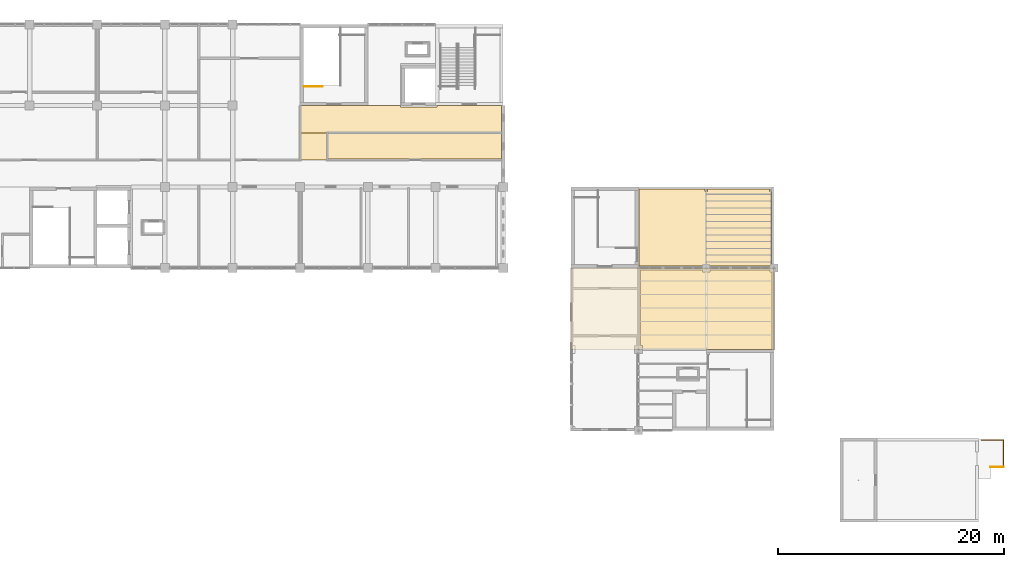
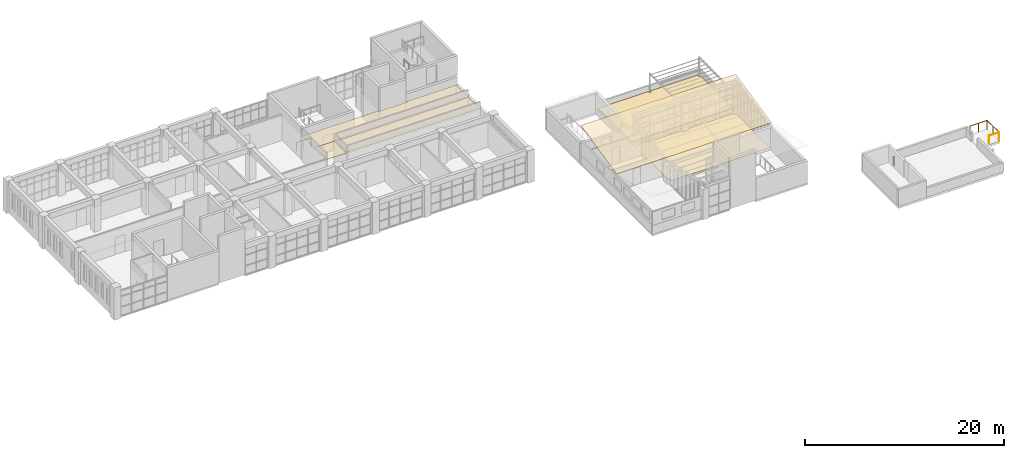
# One storey, part 50 of 51: 6 coverings, 3 railings.
"""IFC4 building model written with IfcOpenShell, lengths in metres."""

from ifc_helpers import new_model, si_unit, direction, frame, origin, origin_2d, place, context, subcontext, project, spatial, polyline, circle, outline, extrude, material, layer, layer_set, type_object, element, save


model = new_model("IFC4")

# Units and contexts
model_context = context("Model", 3, precision=1e-05, world=origin(), true_north=direction((0.0, 1.0)))
body_context = subcontext(model_context, "Body", "Model", "MODEL_VIEW")
ifc_project = project(units=[si_unit("LENGTHUNIT", "METRE"), si_unit("AREAUNIT", "SQUARE_METRE"), si_unit("VOLUMEUNIT", "CUBIC_METRE"), si_unit("PLANEANGLEUNIT", "RADIAN"), si_unit("MASSUNIT", "GRAM", prefix="KILO")], contexts=[model_context])

# Site, building, storey
site_placement = place(None, origin())
site = spatial("IfcSite", under=ifc_project, at=site_placement, CompositionType="ELEMENT")
building_placement = place(site_placement, origin())
building = spatial("IfcBuilding", under=site, at=building_placement, Name="Laocheng Heights Fire and Rescue Headquarters", CompositionType="ELEMENT")
storey_placement = place(building_placement, frame((0.0, 0.0, 21.0)))
storey = spatial("IfcBuildingStorey", under=building, at=storey_placement, Name="L05", CompositionType="ELEMENT", Elevation=21.0)

# Coverings
ifc_material_1 = material(Name="Green roof substrate planted with sedum, on drainage layer")
ifc_layer_1 = layer(ifc_material_1, 0.39990234375)
ifc_layer_set_1 = layer_set([ifc_layer_1], Name="Green roof substrate planted with sedum, on drainage layer")
covering_type_1 = type_object("IfcCoveringType", Name="GREEN ROOF BUILD-UP 400", PredefinedType="ROOFING", material=ifc_layer_set_1)
covering_1_placement = place(storey_placement, origin())
element("IfcCovering", 1, at=covering_1_placement, inside=storey, type_object=covering_type_1, Name="Green roof Crew Garden", PredefinedType="ROOFING", context=body_context, shape_type="SweptSolid", body=[
    extrude(outline(polyline([(107.820068359375, 50.580078125), (107.820068359375, 57.199951171875), (107.60009765625, 57.199951171875), (107.60009765625, 57.419921875), (102.1201171875, 57.419921875), (102.1201171875, 57.199951171875), (101.8798828125, 57.199951171875), (101.8798828125, 57.419921875), (96.02001953125, 57.419921875), (96.02001953125, 50.580078125), (107.820068359375, 50.580078125)])), origin(), (0.0, 0.0, 1.0), 0.39990234375),
])
ifc_material_2 = material(Name="Resilient floor sheet")
ifc_layer_2 = layer(ifc_material_2, 0.006103515625, Name="RESILIENT SHEET", Category="finish")
ifc_material_3 = material(Name="Cement levelling screed")
ifc_layer_3 = layer(ifc_material_3, 0.013916015625, Name="LEVELLING SCREED", Category="screed")
ifc_layer_set_2 = layer_set([ifc_layer_2, ifc_layer_3], Name="Resilient floor finish")
covering_type_2 = type_object("IfcCoveringType", Name="RESILIENT FLOOR FINISH 20 MM CREW WING", PredefinedType="FLOORING", material=ifc_layer_set_2)
covering_2_placement = place(storey_placement, origin())
element("IfcCovering", 2, at=covering_2_placement, inside=storey, type_object=covering_type_2, Name="Roof Lounge flooring", PredefinedType="FLOORING", context=body_context, shape_type="SweptSolid", body=[
    extrude(outline(polyline([(96.175048828125, 50.25), (101.64990234375, 50.25), (101.64990234375, 50.050048828125), (102.35009765625, 50.050048828125), (102.35009765625, 50.25), (107.64990234375, 50.25), (107.64990234375, 50.050048828125), (107.85009765625, 50.050048828125), (107.85009765625, 43.199951171875), (96.35009765625, 43.199951171875), (96.35009765625, 43.550048828125), (96.175048828125, 43.550048828125), (96.175048828125, 50.25)])), origin(), (0.0, 0.0, 1.0), 0.02001953125),
])
ifc_material_4 = material(Name="Standing-seam aluminium roof sheeting on waterproof membrane", Category="aluminium")
ifc_layer_4 = layer(ifc_material_4, 0.06005859375)
ifc_layer_set_3 = layer_set([ifc_layer_4], Name="Standing-seam aluminium roof sheeting on waterproof membrane")
covering_type_3 = type_object("IfcCoveringType", Name="SLOPED ROOF COVERING 60", PredefinedType="ROOFING", material=ifc_layer_set_3)
covering_3_placement = place(storey_placement, frame((90.0, 43.199951171875, 3.0615234375), z_axis=(0.0, -0.216944477077, 0.976183944688), x_axis=(1.0, 0.0, 0.0)))
element("IfcCovering", 3, at=covering_3_placement, inside=storey, type_object=covering_type_3, Name="Butterfly covering north plane", PredefinedType="ROOFING", context=body_context, shape_type="SweptSolid", body=[
    extrude(outline(polyline([(0.0, 0.0), (18.0, 0.0), (18.0, 7.375609085826127), (0.0, 7.375609085826127), (0.0, 0.0)])), origin(), (0.0, 0.0, -1.0), 0.06005859375),
])

# Railings
ifc_material_5 = material(Name="Steel Q355B", Category="steel")
railing_type = type_object("IfcRailingType", Name="STAIR GUARD 1100", PredefinedType="GUARDRAIL", material=ifc_material_5)
railing_1_placement = place(storey_placement, frame((66.320068359375, 66.52001953125, 0.0)))
element("IfcRailing", 4, at=railing_1_placement, inside=storey, type_object=railing_type, Name="Stair H3 guard L05 flight opening", PredefinedType="GUARDRAIL", context=body_context, shape_type="SweptSolid", body=[
    extrude(circle(Radius=0.02392578125, at=origin_2d()), frame((0.0, 0.0, 1.076171875), z_axis=(1.0, 0.0, 0.0), x_axis=(0.0, 1.0, 0.0)), (0.0, 0.0, 1.0), 1.655029296875),
    extrude(circle(Radius=0.02099609375, at=origin_2d()), origin(), (0.0, 0.0, 1.0), 1.052001953125),
    extrude(circle(Radius=0.02099609375, at=origin_2d()), frame((0.82763671875, 0.0, 0.0)), (0.0, 0.0, 1.0), 1.052001953125),
    extrude(circle(Radius=0.02099609375, at=origin_2d()), frame((1.655029296875, 0.0, 0.0)), (0.0, 0.0, 1.0), 1.052001953125),
])
railing_2_placement = place(storey_placement, frame((128.3701171875, 32.800048828125, 0.0)))
element("IfcRailing", 5, at=railing_2_placement, inside=storey, type_object=railing_type, Name="Stair T2 guard roof landing edge", PredefinedType="GUARDRAIL", context=body_context, shape_type="SweptSolid", body=[
    extrude(circle(Radius=0.02392578125, at=origin_2d()), frame((0.0, 0.0, 1.076171875), z_axis=(0.0, 1.0, 0.0), x_axis=(-1.0, 0.0, 0.0)), (0.0, 0.0, 1.0), 2.369873046875),
    extrude(circle(Radius=0.02392578125, at=origin_2d()), frame((0.0, 2.369873046875, 1.076171875), z_axis=(-1.0, 0.0, 0.0), x_axis=(0.0, -1.0, 0.0)), (0.0, 0.0, 1.0), 1.97021484375),
    extrude(circle(Radius=0.02099609375, at=origin_2d()), origin(), (0.0, 0.0, 1.0), 1.052001953125),
    extrude(circle(Radius=0.02099609375, at=origin_2d()), frame((0.0, 1.18505859375, 0.0)), (0.0, 0.0, 1.0), 1.052001953125),
    extrude(circle(Radius=0.02099609375, at=origin_2d()), frame((0.0, 2.369873046875, 0.0)), (0.0, 0.0, 1.0), 1.052001953125),
    extrude(circle(Radius=0.02099609375, at=origin_2d()), frame((-0.985107421875, 2.369873046875, 0.0)), (0.0, 0.0, 1.0), 1.052001953125),
    extrude(circle(Radius=0.02099609375, at=origin_2d()), frame((-1.97021484375, 2.369873046875, 0.0)), (0.0, 0.0, 1.0), 1.052001953125),
])
railing_3_placement = place(storey_placement, frame((128.3701171875, 32.75, 0.0)))
element("IfcRailing", 6, at=railing_3_placement, inside=storey, type_object=railing_type, Name="Stair T2 guard roof flight opening", PredefinedType="GUARDRAIL", context=body_context, shape_type="SweptSolid", body=[
    extrude(circle(Radius=0.02392578125, at=origin_2d()), frame((0.0, 0.0, 1.076171875), z_axis=(-1.0, 0.0, 0.0), x_axis=(0.0, -1.0, 0.0)), (0.0, 0.0, 1.0), 1.170166015625),
    extrude(circle(Radius=0.02099609375, at=origin_2d()), origin(), (0.0, 0.0, 1.0), 1.052001953125),
    extrude(circle(Radius=0.02099609375, at=origin_2d()), frame((-1.170166015625, 0.0, 0.0)), (0.0, 0.0, 1.0), 1.052001953125),
])

# Coverings
ifc_material_6 = material(Name="Mineral fibre ceiling tile")
ifc_layer_5 = layer(ifc_material_6, 0.0400390625)
ifc_layer_set_4 = layer_set([ifc_layer_5], Name="Mineral fibre ceiling tile")
covering_type_4 = type_object("IfcCoveringType", Name="SUSPENDED CEILING MINERAL FIBRE TILE HQ WING", PredefinedType="CEILING", material=ifc_layer_set_4)
covering_4_placement = place(storey_placement, frame((0.0, 0.0, 3.0)))
element("IfcCovering", 7, at=covering_4_placement, inside=storey, type_object=covering_type_4, Name="East Lobby ceiling", PredefinedType="CEILING", context=body_context, shape_type="SweptSolid", body=[
    extrude(outline(polyline([(83.85009765625, 62.47509765625), (68.47509765625, 62.47509765625), (68.324951171875, 62.47509765625), (68.324951171875, 62.39990234375), (66.074951171875, 62.39990234375), (66.074951171875, 64.800048828125), (74.875, 64.800048828125), (74.875, 64.675048828125), (75.125, 64.675048828125), (77.875, 64.675048828125), (78.125, 64.675048828125), (78.125, 64.800048828125), (83.85009765625, 64.800048828125), (83.85009765625, 62.47509765625)])), origin(), (0.0, 0.0, 1.0), 0.0400390625),
])
covering_5_placement = place(storey_placement, frame((0.0, 0.0, 3.0)))
element("IfcCovering", 8, at=covering_5_placement, inside=storey, type_object=covering_type_4, Name="Circulation East ceiling", PredefinedType="CEILING", context=body_context, shape_type="SweptSolid", body=[
    extrude(outline(polyline([(68.324951171875, 60.0), (66.074951171875, 60.0), (66.074951171875, 62.39990234375), (68.324951171875, 62.39990234375), (68.324951171875, 60.0)])), origin(), (0.0, 0.0, 1.0), 0.0400390625),
])
covering_6_placement = place(storey_placement, frame((0.0, 0.0, 3.0)))
element("IfcCovering", 9, at=covering_6_placement, inside=storey, type_object=covering_type_4, Name="Occupational Health Room ceiling", PredefinedType="CEILING", context=body_context, shape_type="SweptSolid", body=[
    extrude(outline(polyline([(68.47509765625, 62.324951171875), (83.85009765625, 62.324951171875), (83.85009765625, 60.074951171875), (68.47509765625, 60.074951171875), (68.47509765625, 62.324951171875)])), origin(), (0.0, 0.0, 1.0), 0.0400390625),
])

save(model, "model.ifc")
